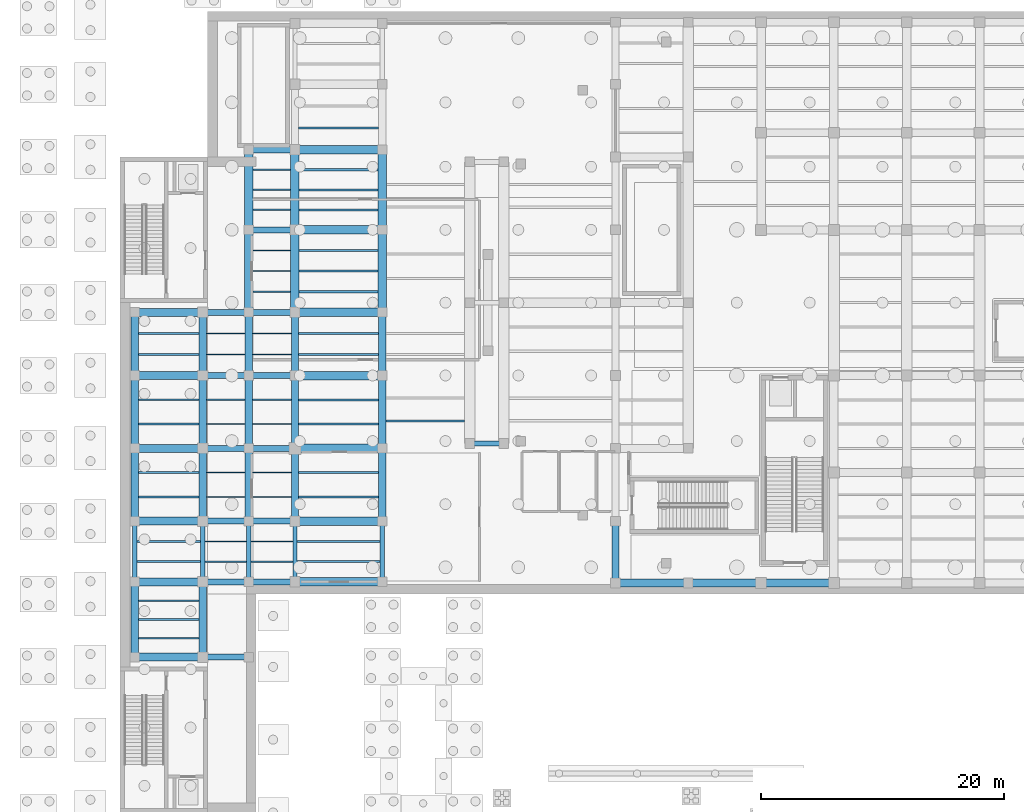
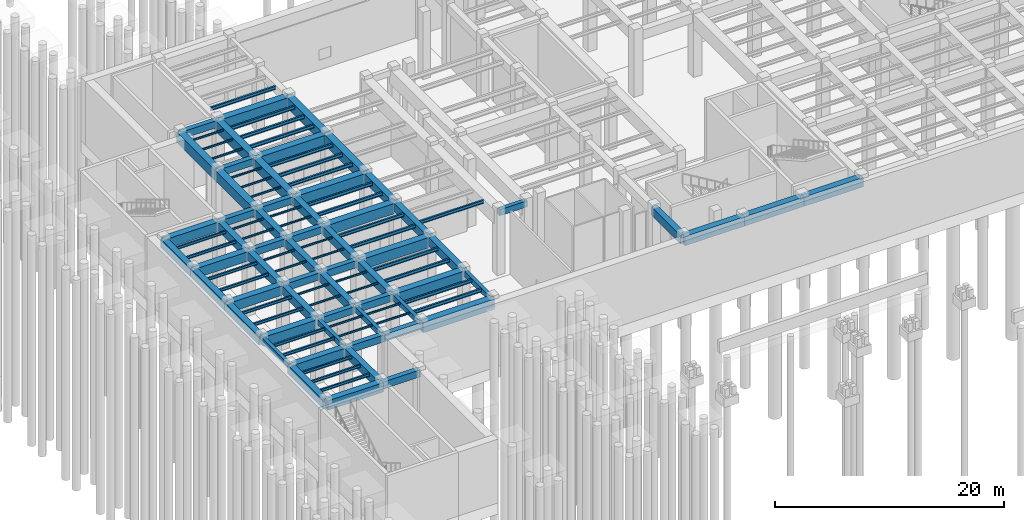
# One storey, part 9 of 30: 108 beams.
"""IFC4 building model written with IfcOpenShell, lengths in metres."""

from ifc_helpers import new_model, si_unit, direction, frame, origin, origin_2d, place, context, subcontext, project, spatial, rectangle, i_section, extrude, material, material_profile, profile_set, type_object, element, save


model = new_model("IFC4")

# Units and contexts
model_context = context("Model", 3, precision=1e-05, world=origin(), true_north=direction((0.0, 1.0)))
body_context = subcontext(model_context, "Body", "Model", "MODEL_VIEW")
ifc_project = project(units=[si_unit("LENGTHUNIT", "METRE"), si_unit("AREAUNIT", "SQUARE_METRE"), si_unit("VOLUMEUNIT", "CUBIC_METRE"), si_unit("PLANEANGLEUNIT", "RADIAN"), si_unit("MASSUNIT", "GRAM", prefix="KILO")], contexts=[model_context])

# Site, building, storey
site_placement = place(None, origin())
site = spatial("IfcSite", under=ifc_project, at=site_placement, CompositionType="ELEMENT")
building_placement = place(site_placement, origin())
building = spatial("IfcBuilding", under=site, at=building_placement, Name="Kolvaren Corner Interchange", CompositionType="ELEMENT")
storey_placement = place(building_placement, frame((0.0, 0.0, -7.199951171875)))
storey = spatial("IfcBuildingStorey", under=building, at=storey_placement, Name="B1", CompositionType="ELEMENT", Elevation=-7.199951171875)

# Beams
ifc_material_1 = material(Name="Concrete C40/50", Category="concrete")
ifc_material_profile_1 = material_profile(ifc_material_1, rectangle(XDim=0.35009765625, YDim=0.550048828125, at=origin_2d()), Name="RC 350x550")
ifc_profile_set_1 = profile_set([ifc_material_profile_1], Name="Concrete C40/50")
beam_type_1 = type_object("IfcBeamType", Name="BM-RC350x550", PredefinedType="BEAM", material=ifc_profile_set_1)
for number, where, z_axis, x_axis, name in (
    (1, (8.39990234375, 25.0, 6.52490234375), (0.0, 1.0, 0.0), (-1.0, 0.0, 0.0), "Storey B1 Grid Y Primary Girder 0104"),
    (2, (14.0, 25.0, 6.52490234375), (0.0, 1.0, 0.0), (-1.0, 0.0, 0.0), "Storey B1 Grid Y Primary Girder 0109"),
    (3, (17.800048828125, 25.0, 6.52490234375), (0.0, 1.0, 0.0), (-1.0, 0.0, 0.0), "Storey B1 Grid Y Primary Girder 0113"),
    (4, (21.60009765625, 25.0, 6.52490234375), (0.0, 1.0, 0.0), (-1.0, 0.0, 0.0), "Storey B1 Grid Y Primary Girder 0119"),
    (5, (28.800048828125, 25.0, 6.52490234375), (0.0, 1.0, 0.0), (-1.0, 0.0, 0.0), "Storey B1 Grid Y Primary Girder 0127"),
):
    element("IfcBeam", number, at=place(storey_placement, frame(where, z_axis=z_axis, x_axis=x_axis)), inside=storey, type_object=beam_type_1, Name=name, PredefinedType="BEAM", context=body_context, shape_type="SweptSolid", body=[
        extrude(rectangle(XDim=0.35009765625, YDim=0.550048828125, at=origin_2d()), origin(), (0.0, 0.0, 1.0), 5.0),
    ])
ifc_material_2 = material(Name="Concrete C40/50", Category="concrete")
ifc_material_profile_2 = material_profile(ifc_material_2, rectangle(XDim=0.39990234375, YDim=0.64990234375, at=origin_2d()), Name="RC 400x650")
ifc_profile_set_2 = profile_set([ifc_material_profile_2], Name="Concrete C40/50")
beam_type_2 = type_object("IfcBeamType", Name="BM-RC400x650", PredefinedType="BEAM", material=ifc_profile_set_2)
beam_1_placement = place(storey_placement, frame((36.0, 36.39990234375, 6.474853515625), z_axis=(1.0, 0.0, 0.0), x_axis=(0.0, 1.0, 0.0)))
element("IfcBeam", 6, at=beam_1_placement, inside=storey, type_object=beam_type_2, Name="Storey B1 Grid X Primary Girder 0040", PredefinedType="BEAM", context=body_context, shape_type="SweptSolid", body=[
    extrude(rectangle(XDim=0.39990234375, YDim=0.64990234375, at=origin_2d()), origin(), (0.0, 0.0, 1.0), 2.800048828125),
])
ifc_material_3 = material(Name="Concrete C40/50", Category="concrete")
ifc_material_profile_3 = material_profile(ifc_material_3, rectangle(XDim=0.5, YDim=0.75, at=origin_2d()), Name="RC 500x750")
ifc_profile_set_3 = profile_set([ifc_material_profile_3], Name="Concrete C40/50")
beam_type_3 = type_object("IfcBeamType", Name="BM-RC500x750", PredefinedType="BEAM", material=ifc_profile_set_3)
for number, where, z_axis, x_axis, name in (
    (7, (14.0, 18.800048828125, 6.425048828125), (1.0, 0.0, 0.0), (0.0, 1.0, 0.0), "Storey B1 Grid X Primary Girder 0002"),
    (8, (14.0, 25.0, 6.425048828125), (1.0, 0.0, 0.0), (0.0, 1.0, 0.0), "Storey B1 Grid X Primary Girder 0018"),
    (9, (17.800048828125, 25.0, 6.425048828125), (1.0, 0.0, 0.0), (0.0, 1.0, 0.0), "Storey B1 Grid X Primary Girder 0019"),
    (10, (14.0, 30.0, 6.425048828125), (1.0, 0.0, 0.0), (0.0, 1.0, 0.0), "Storey B1 Grid X Primary Girder 0022"),
    (11, (17.800048828125, 30.0, 6.425048828125), (1.0, 0.0, 0.0), (0.0, 1.0, 0.0), "Storey B1 Grid X Primary Girder 0023"),
    (12, (14.0, 36.0, 6.425048828125), (1.0, 0.0, 0.0), (0.0, 1.0, 0.0), "Storey B1 Grid X Primary Girder 0035"),
    (13, (17.800048828125, 36.0, 6.425048828125), (1.0, 0.0, 0.0), (0.0, 1.0, 0.0), "Storey B1 Grid X Primary Girder 0036"),
    (14, (14.0, 42.0, 6.425048828125), (1.0, 0.0, 0.0), (0.0, 1.0, 0.0), "Storey B1 Grid X Primary Girder 0042"),
    (15, (17.800048828125, 42.0, 6.425048828125), (1.0, 0.0, 0.0), (0.0, 1.0, 0.0), "Storey B1 Grid X Primary Girder 0043"),
    (16, (14.0, 47.199951171875, 6.425048828125), (1.0, 0.0, 0.0), (0.0, 1.0, 0.0), "Storey B1 Grid X Primary Girder 0055"),
    (17, (17.800048828125, 47.199951171875, 6.425048828125), (1.0, 0.0, 0.0), (0.0, 1.0, 0.0), "Storey B1 Grid X Primary Girder 0056"),
    (18, (17.800048828125, 54.0, 6.425048828125), (1.0, 0.0, 0.0), (0.0, 1.0, 0.0), "Storey B1 Grid X Primary Girder 0062"),
    (19, (17.800048828125, 60.60009765625, 6.425048828125), (1.0, 0.0, 0.0), (0.0, 1.0, 0.0), "Storey B1 Grid X Primary Girder 0076"),
):
    element("IfcBeam", number, at=place(storey_placement, frame(where, z_axis=z_axis, x_axis=x_axis)), inside=storey, type_object=beam_type_3, Name=name, PredefinedType="BEAM", context=body_context, shape_type="SweptSolid", body=[
        extrude(rectangle(XDim=0.5, YDim=0.75, at=origin_2d()), origin(), (0.0, 0.0, 1.0), 3.800048828125),
    ])
ifc_material_4 = material(Name="Concrete C40/50", Category="concrete")
ifc_material_profile_4 = material_profile(ifc_material_4, rectangle(XDim=0.60009765625, YDim=0.89990234375, at=origin_2d()), Name="RC 600x900")
ifc_profile_set_4 = profile_set([ifc_material_profile_4], Name="Concrete C40/50")
beam_type_4 = type_object("IfcBeamType", Name="BM-RC600x900", PredefinedType="BEAM", material=ifc_profile_set_4)
beam_2_placement = place(storey_placement, frame((8.39990234375, 18.800048828125, 6.349853515625), z_axis=(0.0, 1.0, 0.0), x_axis=(-1.0, 0.0, 0.0)))
element("IfcBeam", 20, at=beam_2_placement, inside=storey, type_object=beam_type_4, Name="Storey B1 Grid Y Primary Girder 0103", PredefinedType="BEAM", context=body_context, shape_type="SweptSolid", body=[
    extrude(rectangle(XDim=0.60009765625, YDim=0.89990234375, at=origin_2d()), origin(), (0.0, 0.0, 1.0), 6.199951171875),
])
for number, where, z_axis, x_axis, name in (
    (21, (8.39990234375, 30.0, 6.349853515625), (0.0, 1.0, 0.0), (-1.0, 0.0, 0.0), "Storey B1 Grid Y Primary Girder 0105"),
    (22, (8.39990234375, 36.0, 6.349853515625), (0.0, 1.0, 0.0), (-1.0, 0.0, 0.0), "Storey B1 Grid Y Primary Girder 0106"),
):
    element("IfcBeam", number, at=place(storey_placement, frame(where, z_axis=z_axis, x_axis=x_axis)), inside=storey, type_object=beam_type_4, Name=name, PredefinedType="BEAM", context=body_context, shape_type="SweptSolid", body=[
        extrude(rectangle(XDim=0.60009765625, YDim=0.89990234375, at=origin_2d()), origin(), (0.0, 0.0, 1.0), 6.0),
    ])
beam_3_placement = place(storey_placement, frame((8.39990234375, 42.0, 6.349853515625), z_axis=(0.0, 1.0, 0.0), x_axis=(-1.0, 0.0, 0.0)))
element("IfcBeam", 23, at=beam_3_placement, inside=storey, type_object=beam_type_4, Name="Storey B1 Grid Y Primary Girder 0107", PredefinedType="BEAM", context=body_context, shape_type="SweptSolid", body=[
    extrude(rectangle(XDim=0.60009765625, YDim=0.89990234375, at=origin_2d()), origin(), (0.0, 0.0, 1.0), 5.199951171875),
])
beam_4_placement = place(storey_placement, frame((14.0, 18.800048828125, 6.349853515625), z_axis=(0.0, 1.0, 0.0), x_axis=(-1.0, 0.0, 0.0)))
element("IfcBeam", 24, at=beam_4_placement, inside=storey, type_object=beam_type_4, Name="Storey B1 Grid Y Primary Girder 0108", PredefinedType="BEAM", context=body_context, shape_type="SweptSolid", body=[
    extrude(rectangle(XDim=0.60009765625, YDim=0.89990234375, at=origin_2d()), origin(), (0.0, 0.0, 1.0), 6.199951171875),
])
for number, where, z_axis, x_axis, name in (
    (25, (14.0, 30.0, 6.349853515625), (0.0, 1.0, 0.0), (-1.0, 0.0, 0.0), "Storey B1 Grid Y Primary Girder 0110"),
    (26, (14.0, 36.0, 6.349853515625), (0.0, 1.0, 0.0), (-1.0, 0.0, 0.0), "Storey B1 Grid Y Primary Girder 0111"),
):
    element("IfcBeam", number, at=place(storey_placement, frame(where, z_axis=z_axis, x_axis=x_axis)), inside=storey, type_object=beam_type_4, Name=name, PredefinedType="BEAM", context=body_context, shape_type="SweptSolid", body=[
        extrude(rectangle(XDim=0.60009765625, YDim=0.89990234375, at=origin_2d()), origin(), (0.0, 0.0, 1.0), 6.0),
    ])
beam_5_placement = place(storey_placement, frame((14.0, 42.0, 6.349853515625), z_axis=(0.0, 1.0, 0.0), x_axis=(-1.0, 0.0, 0.0)))
element("IfcBeam", 27, at=beam_5_placement, inside=storey, type_object=beam_type_4, Name="Storey B1 Grid Y Primary Girder 0112", PredefinedType="BEAM", context=body_context, shape_type="SweptSolid", body=[
    extrude(rectangle(XDim=0.60009765625, YDim=0.89990234375, at=origin_2d()), origin(), (0.0, 0.0, 1.0), 5.199951171875),
])
for number, where, z_axis, x_axis, name in (
    (28, (17.800048828125, 30.0, 6.349853515625), (0.0, 1.0, 0.0), (-1.0, 0.0, 0.0), "Storey B1 Grid Y Primary Girder 0114"),
    (29, (17.800048828125, 36.0, 6.349853515625), (0.0, 1.0, 0.0), (-1.0, 0.0, 0.0), "Storey B1 Grid Y Primary Girder 0115"),
):
    element("IfcBeam", number, at=place(storey_placement, frame(where, z_axis=z_axis, x_axis=x_axis)), inside=storey, type_object=beam_type_4, Name=name, PredefinedType="BEAM", context=body_context, shape_type="SweptSolid", body=[
        extrude(rectangle(XDim=0.60009765625, YDim=0.89990234375, at=origin_2d()), origin(), (0.0, 0.0, 1.0), 6.0),
    ])
beam_6_placement = place(storey_placement, frame((17.800048828125, 42.0, 6.349853515625), z_axis=(0.0, 1.0, 0.0), x_axis=(-1.0, 0.0, 0.0)))
element("IfcBeam", 30, at=beam_6_placement, inside=storey, type_object=beam_type_4, Name="Storey B1 Grid Y Primary Girder 0116", PredefinedType="BEAM", context=body_context, shape_type="SweptSolid", body=[
    extrude(rectangle(XDim=0.60009765625, YDim=0.89990234375, at=origin_2d()), origin(), (0.0, 0.0, 1.0), 5.199951171875),
])
for number, where, z_axis, x_axis, name in (
    (31, (21.60009765625, 30.0, 6.349853515625), (0.0, 1.0, 0.0), (-1.0, 0.0, 0.0), "Storey B1 Grid Y Primary Girder 0120"),
    (32, (21.60009765625, 36.0, 6.349853515625), (0.0, 1.0, 0.0), (-1.0, 0.0, 0.0), "Storey B1 Grid Y Primary Girder 0121"),
):
    element("IfcBeam", number, at=place(storey_placement, frame(where, z_axis=z_axis, x_axis=x_axis)), inside=storey, type_object=beam_type_4, Name=name, PredefinedType="BEAM", context=body_context, shape_type="SweptSolid", body=[
        extrude(rectangle(XDim=0.60009765625, YDim=0.89990234375, at=origin_2d()), origin(), (0.0, 0.0, 1.0), 6.0),
    ])
beam_7_placement = place(storey_placement, frame((21.60009765625, 42.0, 6.349853515625), z_axis=(0.0, 1.0, 0.0), x_axis=(-1.0, 0.0, 0.0)))
element("IfcBeam", 33, at=beam_7_placement, inside=storey, type_object=beam_type_4, Name="Storey B1 Grid Y Primary Girder 0122", PredefinedType="BEAM", context=body_context, shape_type="SweptSolid", body=[
    extrude(rectangle(XDim=0.60009765625, YDim=0.89990234375, at=origin_2d()), origin(), (0.0, 0.0, 1.0), 5.199951171875),
])
for number, where, z_axis, x_axis, name in (
    (34, (28.800048828125, 30.0, 6.349853515625), (0.0, 1.0, 0.0), (-1.0, 0.0, 0.0), "Storey B1 Grid Y Primary Girder 0128"),
    (35, (28.800048828125, 36.0, 6.349853515625), (0.0, 1.0, 0.0), (-1.0, 0.0, 0.0), "Storey B1 Grid Y Primary Girder 0129"),
):
    element("IfcBeam", number, at=place(storey_placement, frame(where, z_axis=z_axis, x_axis=x_axis)), inside=storey, type_object=beam_type_4, Name=name, PredefinedType="BEAM", context=body_context, shape_type="SweptSolid", body=[
        extrude(rectangle(XDim=0.60009765625, YDim=0.89990234375, at=origin_2d()), origin(), (0.0, 0.0, 1.0), 6.0),
    ])
beam_8_placement = place(storey_placement, frame((28.800048828125, 42.0, 6.349853515625), z_axis=(0.0, 1.0, 0.0), x_axis=(-1.0, 0.0, 0.0)))
element("IfcBeam", 36, at=beam_8_placement, inside=storey, type_object=beam_type_4, Name="Storey B1 Grid Y Primary Girder 0130", PredefinedType="BEAM", context=body_context, shape_type="SweptSolid", body=[
    extrude(rectangle(XDim=0.60009765625, YDim=0.89990234375, at=origin_2d()), origin(), (0.0, 0.0, 1.0), 5.199951171875),
])
beam_9_placement = place(storey_placement, frame((48.0, 24.89990234375, 6.349853515625), z_axis=(0.0, 1.0, 0.0), x_axis=(-1.0, 0.0, 0.0)))
element("IfcBeam", 37, at=beam_9_placement, inside=storey, type_object=beam_type_4, Name="Storey B1 Grid Y Primary Girder 0140", PredefinedType="BEAM", context=body_context, shape_type="SweptSolid", body=[
    extrude(rectangle(XDim=0.60009765625, YDim=0.89990234375, at=origin_2d()), origin(), (0.0, 0.0, 1.0), 5.10009765625),
])
ifc_material_5 = material(Name="Concrete C40/50", Category="concrete")
ifc_material_profile_5 = material_profile(ifc_material_5, rectangle(XDim=0.64990234375, YDim=1.0, at=origin_2d()), Name="RC 650x1000")
ifc_profile_set_5 = profile_set([ifc_material_profile_5], Name="Concrete C40/50")
beam_type_5 = type_object("IfcBeamType", Name="BM-RC650x1000", PredefinedType="BEAM", material=ifc_profile_set_5)
beam_10_placement = place(storey_placement, frame((8.39990234375, 18.800048828125, 6.300048828125), z_axis=(1.0, 0.0, 0.0), x_axis=(0.0, 1.0, 0.0)))
element("IfcBeam", 38, at=beam_10_placement, inside=storey, type_object=beam_type_5, Name="Storey B1 Grid X Primary Girder 0001", PredefinedType="BEAM", context=body_context, shape_type="SweptSolid", body=[
    extrude(rectangle(XDim=0.64990234375, YDim=1.0, at=origin_2d()), origin(), (0.0, 0.0, 1.0), 5.60009765625),
])
for number, where, z_axis, x_axis, name in (
    (39, (48.0, 24.89990234375, 6.300048828125), (1.0, 0.0, 0.0), (0.0, 1.0, 0.0), "Storey B1 Grid X Primary Girder 0003"),
    (40, (54.0, 24.89990234375, 6.300048828125), (1.0, 0.0, 0.0), (0.0, 1.0, 0.0), "Storey B1 Grid X Primary Girder 0004"),
    (41, (60.0, 24.89990234375, 6.300048828125), (1.0, 0.0, 0.0), (0.0, 1.0, 0.0), "Storey B1 Grid X Primary Girder 0005"),
):
    element("IfcBeam", number, at=place(storey_placement, frame(where, z_axis=z_axis, x_axis=x_axis)), inside=storey, type_object=beam_type_5, Name=name, PredefinedType="BEAM", context=body_context, shape_type="SweptSolid", body=[
        extrude(rectangle(XDim=0.64990234375, YDim=1.0, at=origin_2d()), origin(), (0.0, 0.0, 1.0), 6.0),
    ])
for number, where, z_axis, x_axis, name in (
    (42, (8.39990234375, 25.0, 6.300048828125), (1.0, 0.0, 0.0), (0.0, 1.0, 0.0), "Storey B1 Grid X Primary Girder 0017"),
    (43, (8.39990234375, 30.0, 6.300048828125), (1.0, 0.0, 0.0), (0.0, 1.0, 0.0), "Storey B1 Grid X Primary Girder 0021"),
    (44, (8.39990234375, 36.0, 6.300048828125), (1.0, 0.0, 0.0), (0.0, 1.0, 0.0), "Storey B1 Grid X Primary Girder 0034"),
    (45, (8.39990234375, 42.0, 6.300048828125), (1.0, 0.0, 0.0), (0.0, 1.0, 0.0), "Storey B1 Grid X Primary Girder 0041"),
    (46, (8.39990234375, 47.199951171875, 6.300048828125), (1.0, 0.0, 0.0), (0.0, 1.0, 0.0), "Storey B1 Grid X Primary Girder 0054"),
):
    element("IfcBeam", number, at=place(storey_placement, frame(where, z_axis=z_axis, x_axis=x_axis)), inside=storey, type_object=beam_type_5, Name=name, PredefinedType="BEAM", context=body_context, shape_type="SweptSolid", body=[
        extrude(rectangle(XDim=0.64990234375, YDim=1.0, at=origin_2d()), origin(), (0.0, 0.0, 1.0), 5.60009765625),
    ])
ifc_material_6 = material(Name="Concrete C40/50", Category="concrete")
ifc_material_profile_6 = material_profile(ifc_material_6, rectangle(XDim=0.699951171875, YDim=1.10009765625, at=origin_2d()), Name="RC 700x1100")
ifc_profile_set_6 = profile_set([ifc_material_profile_6], Name="Concrete C40/50")
beam_type_6 = type_object("IfcBeamType", Name="BM-RC700x1100", PredefinedType="BEAM", material=ifc_profile_set_6)
for number, where, z_axis, x_axis, name in (
    (47, (21.60009765625, 25.0, 6.25), (1.0, 0.0, 0.0), (0.0, 1.0, 0.0), "Storey B1 Grid X Primary Girder 0020"),
    (48, (21.60009765625, 30.0, 6.25), (1.0, 0.0, 0.0), (0.0, 1.0, 0.0), "Storey B1 Grid X Primary Girder 0024"),
    (49, (21.60009765625, 36.0, 6.25), (1.0, 0.0, 0.0), (0.0, 1.0, 0.0), "Storey B1 Grid X Primary Girder 0037"),
    (50, (21.60009765625, 42.0, 6.25), (1.0, 0.0, 0.0), (0.0, 1.0, 0.0), "Storey B1 Grid X Primary Girder 0044"),
    (51, (21.60009765625, 47.199951171875, 6.25), (1.0, 0.0, 0.0), (0.0, 1.0, 0.0), "Storey B1 Grid X Primary Girder 0057"),
    (52, (21.60009765625, 54.0, 6.25), (1.0, 0.0, 0.0), (0.0, 1.0, 0.0), "Storey B1 Grid X Primary Girder 0063"),
    (53, (21.60009765625, 60.60009765625, 6.25), (1.0, 0.0, 0.0), (0.0, 1.0, 0.0), "Storey B1 Grid X Primary Girder 0077"),
):
    element("IfcBeam", number, at=place(storey_placement, frame(where, z_axis=z_axis, x_axis=x_axis)), inside=storey, type_object=beam_type_6, Name=name, PredefinedType="BEAM", context=body_context, shape_type="SweptSolid", body=[
        extrude(rectangle(XDim=0.699951171875, YDim=1.10009765625, at=origin_2d()), origin(), (0.0, 0.0, 1.0), 7.199951171875),
    ])
beam_11_placement = place(storey_placement, frame((17.800048828125, 47.199951171875, 6.25), z_axis=(0.0, 1.0, 0.0), x_axis=(-1.0, 0.0, 0.0)))
element("IfcBeam", 54, at=beam_11_placement, inside=storey, type_object=beam_type_6, Name="Storey B1 Grid Y Primary Girder 0117", PredefinedType="BEAM", context=body_context, shape_type="SweptSolid", body=[
    extrude(rectangle(XDim=0.699951171875, YDim=1.10009765625, at=origin_2d()), origin(), (0.0, 0.0, 1.0), 6.800048828125),
])
beam_12_placement = place(storey_placement, frame((17.800048828125, 54.0, 6.25), z_axis=(0.0, 1.0, 0.0), x_axis=(-1.0, 0.0, 0.0)))
element("IfcBeam", 55, at=beam_12_placement, inside=storey, type_object=beam_type_6, Name="Storey B1 Grid Y Primary Girder 0118", PredefinedType="BEAM", context=body_context, shape_type="SweptSolid", body=[
    extrude(rectangle(XDim=0.699951171875, YDim=1.10009765625, at=origin_2d()), origin(), (0.0, 0.0, 1.0), 6.60009765625),
])
beam_13_placement = place(storey_placement, frame((21.60009765625, 47.199951171875, 6.25), z_axis=(0.0, 1.0, 0.0), x_axis=(-1.0, 0.0, 0.0)))
element("IfcBeam", 56, at=beam_13_placement, inside=storey, type_object=beam_type_6, Name="Storey B1 Grid Y Primary Girder 0123", PredefinedType="BEAM", context=body_context, shape_type="SweptSolid", body=[
    extrude(rectangle(XDim=0.699951171875, YDim=1.10009765625, at=origin_2d()), origin(), (0.0, 0.0, 1.0), 6.800048828125),
])
beam_14_placement = place(storey_placement, frame((21.60009765625, 54.0, 6.25), z_axis=(0.0, 1.0, 0.0), x_axis=(-1.0, 0.0, 0.0)))
element("IfcBeam", 57, at=beam_14_placement, inside=storey, type_object=beam_type_6, Name="Storey B1 Grid Y Primary Girder 0124", PredefinedType="BEAM", context=body_context, shape_type="SweptSolid", body=[
    extrude(rectangle(XDim=0.699951171875, YDim=1.10009765625, at=origin_2d()), origin(), (0.0, 0.0, 1.0), 6.60009765625),
])
beam_15_placement = place(storey_placement, frame((28.800048828125, 47.199951171875, 6.25), z_axis=(0.0, 1.0, 0.0), x_axis=(-1.0, 0.0, 0.0)))
element("IfcBeam", 58, at=beam_15_placement, inside=storey, type_object=beam_type_6, Name="Storey B1 Grid Y Primary Girder 0131", PredefinedType="BEAM", context=body_context, shape_type="SweptSolid", body=[
    extrude(rectangle(XDim=0.699951171875, YDim=1.10009765625, at=origin_2d()), origin(), (0.0, 0.0, 1.0), 6.800048828125),
])
beam_16_placement = place(storey_placement, frame((28.800048828125, 54.0, 6.25), z_axis=(0.0, 1.0, 0.0), x_axis=(-1.0, 0.0, 0.0)))
element("IfcBeam", 59, at=beam_16_placement, inside=storey, type_object=beam_type_6, Name="Storey B1 Grid Y Primary Girder 0132", PredefinedType="BEAM", context=body_context, shape_type="SweptSolid", body=[
    extrude(rectangle(XDim=0.699951171875, YDim=1.10009765625, at=origin_2d()), origin(), (0.0, 0.0, 1.0), 6.60009765625),
])
ifc_material_7 = material(Name="Steel S355", Category="steel")
ifc_material_profile_7 = material_profile(ifc_material_7, i_section(OverallWidth=0.10009765625, OverallDepth=0.199951171875, WebThickness=0.005615234375, FlangeThickness=0.008544921875, FilletRadius=0.011962890625, at=origin_2d()), Name="IPE 200")
ifc_profile_set_7 = profile_set([ifc_material_profile_7], Name="Steel S355")
beam_type_7 = type_object("IfcBeamType", Name="JS-IPE200", PredefinedType="JOIST", material=ifc_profile_set_7)
for number, where, z_axis, x_axis, name in (
    (60, (14.175048828125, 26.666748046875, 6.699951171875), (1.0, 0.0, 0.0), (0.0, 1.0, 0.0), "Storey B1 Composite Floor Joist 0012"),
    (61, (14.175048828125, 28.333251953125, 6.699951171875), (1.0, 0.0, 0.0), (0.0, 1.0, 0.0), "Storey B1 Composite Floor Joist 0013"),
):
    element("IfcBeam", number, at=place(storey_placement, frame(where, z_axis=z_axis, x_axis=x_axis)), inside=storey, type_object=beam_type_7, Name=name, PredefinedType="JOIST", context=body_context, shape_type="SweptSolid", body=[
        extrude(i_section(OverallWidth=0.10009765625, OverallDepth=0.199951171875, WebThickness=0.005615234375, FlangeThickness=0.008544921875, FilletRadius=0.011962890625, at=origin_2d()), origin(), (0.0, 0.0, 1.0), 3.449951171875),
    ])
for number, where, z_axis, x_axis, name in (
    (62, (14.300048828125, 32.0, 6.699951171875), (1.0, 0.0, 0.0), (0.0, 1.0, 0.0), "Storey B1 Composite Floor Joist 0014"),
    (63, (14.300048828125, 34.0, 6.699951171875), (1.0, 0.0, 0.0), (0.0, 1.0, 0.0), "Storey B1 Composite Floor Joist 0015"),
    (64, (14.300048828125, 38.0, 6.699951171875), (1.0, 0.0, 0.0), (0.0, 1.0, 0.0), "Storey B1 Composite Floor Joist 0016"),
    (65, (14.300048828125, 40.0, 6.699951171875), (1.0, 0.0, 0.0), (0.0, 1.0, 0.0), "Storey B1 Composite Floor Joist 0017"),
    (66, (14.300048828125, 43.7333984375, 6.699951171875), (1.0, 0.0, 0.0), (0.0, 1.0, 0.0), "Storey B1 Composite Floor Joist 0018"),
    (67, (14.300048828125, 45.466796875, 6.699951171875), (1.0, 0.0, 0.0), (0.0, 1.0, 0.0), "Storey B1 Composite Floor Joist 0019"),
):
    element("IfcBeam", number, at=place(storey_placement, frame(where, z_axis=z_axis, x_axis=x_axis)), inside=storey, type_object=beam_type_7, Name=name, PredefinedType="JOIST", context=body_context, shape_type="SweptSolid", body=[
        extrude(i_section(OverallWidth=0.10009765625, OverallDepth=0.199951171875, WebThickness=0.005615234375, FlangeThickness=0.008544921875, FilletRadius=0.011962890625, at=origin_2d()), origin(), (0.0, 0.0, 1.0), 3.199951171875),
    ])
for number, where, z_axis, x_axis, name in (
    (68, (17.97509765625, 26.666748046875, 6.699951171875), (1.0, 0.0, 0.0), (0.0, 1.0, 0.0), "Storey B1 Composite Floor Joist 0020"),
    (69, (17.97509765625, 28.333251953125, 6.699951171875), (1.0, 0.0, 0.0), (0.0, 1.0, 0.0), "Storey B1 Composite Floor Joist 0021"),
):
    element("IfcBeam", number, at=place(storey_placement, frame(where, z_axis=z_axis, x_axis=x_axis)), inside=storey, type_object=beam_type_7, Name=name, PredefinedType="JOIST", context=body_context, shape_type="SweptSolid", body=[
        extrude(i_section(OverallWidth=0.10009765625, OverallDepth=0.199951171875, WebThickness=0.005615234375, FlangeThickness=0.008544921875, FilletRadius=0.011962890625, at=origin_2d()), origin(), (0.0, 0.0, 1.0), 3.449951171875),
    ])
for number, where, z_axis, x_axis, name in (
    (70, (18.10009765625, 32.0, 6.699951171875), (1.0, 0.0, 0.0), (0.0, 1.0, 0.0), "Storey B1 Composite Floor Joist 0022"),
    (71, (18.10009765625, 34.0, 6.699951171875), (1.0, 0.0, 0.0), (0.0, 1.0, 0.0), "Storey B1 Composite Floor Joist 0023"),
    (72, (18.10009765625, 38.0, 6.699951171875), (1.0, 0.0, 0.0), (0.0, 1.0, 0.0), "Storey B1 Composite Floor Joist 0024"),
    (73, (18.10009765625, 40.0, 6.699951171875), (1.0, 0.0, 0.0), (0.0, 1.0, 0.0), "Storey B1 Composite Floor Joist 0025"),
    (74, (18.10009765625, 43.7333984375, 6.699951171875), (1.0, 0.0, 0.0), (0.0, 1.0, 0.0), "Storey B1 Composite Floor Joist 0026"),
    (75, (18.10009765625, 45.466796875, 6.699951171875), (1.0, 0.0, 0.0), (0.0, 1.0, 0.0), "Storey B1 Composite Floor Joist 0027"),
):
    element("IfcBeam", number, at=place(storey_placement, frame(where, z_axis=z_axis, x_axis=x_axis)), inside=storey, type_object=beam_type_7, Name=name, PredefinedType="JOIST", context=body_context, shape_type="SweptSolid", body=[
        extrude(i_section(OverallWidth=0.10009765625, OverallDepth=0.199951171875, WebThickness=0.005615234375, FlangeThickness=0.008544921875, FilletRadius=0.011962890625, at=origin_2d()), origin(), (0.0, 0.0, 1.0), 3.199951171875),
    ])
for number, where, z_axis, x_axis, name in (
    (76, (18.14990234375, 48.89990234375, 6.699951171875), (1.0, 0.0, 0.0), (0.0, 1.0, 0.0), "Storey B1 Composite Floor Joist 0028"),
    (77, (18.14990234375, 50.60009765625, 6.699951171875), (1.0, 0.0, 0.0), (0.0, 1.0, 0.0), "Storey B1 Composite Floor Joist 0029"),
    (78, (18.14990234375, 52.300048828125, 6.699951171875), (1.0, 0.0, 0.0), (0.0, 1.0, 0.0), "Storey B1 Composite Floor Joist 0030"),
    (79, (18.14990234375, 55.64990234375, 6.699951171875), (1.0, 0.0, 0.0), (0.0, 1.0, 0.0), "Storey B1 Composite Floor Joist 0031"),
    (80, (18.14990234375, 57.300048828125, 6.699951171875), (1.0, 0.0, 0.0), (0.0, 1.0, 0.0), "Storey B1 Composite Floor Joist 0032"),
    (81, (18.14990234375, 58.949951171875, 6.699951171875), (1.0, 0.0, 0.0), (0.0, 1.0, 0.0), "Storey B1 Composite Floor Joist 0033"),
):
    element("IfcBeam", number, at=place(storey_placement, frame(where, z_axis=z_axis, x_axis=x_axis)), inside=storey, type_object=beam_type_7, Name=name, PredefinedType="JOIST", context=body_context, shape_type="SweptSolid", body=[
        extrude(i_section(OverallWidth=0.10009765625, OverallDepth=0.199951171875, WebThickness=0.005615234375, FlangeThickness=0.008544921875, FilletRadius=0.011962890625, at=origin_2d()), origin(), (0.0, 0.0, 1.0), 3.10009765625),
    ])
ifc_material_8 = material(Name="Steel S355", Category="steel")
ifc_material_profile_8 = material_profile(ifc_material_8, i_section(OverallWidth=0.14990234375, OverallDepth=0.300048828125, WebThickness=0.007080078125, FlangeThickness=0.0107421875, FilletRadius=0.014892578125, at=origin_2d()), Name="IPE 300")
ifc_profile_set_8 = profile_set([ifc_material_profile_8], Name="Steel S355")
beam_type_8 = type_object("IfcBeamType", Name="JS-IPE300", PredefinedType="JOIST", material=ifc_profile_set_8)
for number, where, z_axis, x_axis, name in (
    (82, (8.699951171875, 20.35009765625, 6.64990234375), (1.0, 0.0, 0.0), (0.0, 1.0, 0.0), "Storey B1 Composite Floor Joist 0001"),
    (83, (8.699951171875, 21.89990234375, 6.64990234375), (1.0, 0.0, 0.0), (0.0, 1.0, 0.0), "Storey B1 Composite Floor Joist 0002"),
    (84, (8.699951171875, 23.449951171875, 6.64990234375), (1.0, 0.0, 0.0), (0.0, 1.0, 0.0), "Storey B1 Composite Floor Joist 0003"),
):
    element("IfcBeam", number, at=place(storey_placement, frame(where, z_axis=z_axis, x_axis=x_axis)), inside=storey, type_object=beam_type_8, Name=name, PredefinedType="JOIST", context=body_context, shape_type="SweptSolid", body=[
        extrude(i_section(OverallWidth=0.14990234375, OverallDepth=0.300048828125, WebThickness=0.007080078125, FlangeThickness=0.0107421875, FilletRadius=0.014892578125, at=origin_2d()), origin(), (0.0, 0.0, 1.0), 5.0),
    ])
for number, where, z_axis, x_axis, name in (
    (85, (8.574951171875, 26.666748046875, 6.64990234375), (1.0, 0.0, 0.0), (0.0, 1.0, 0.0), "Storey B1 Composite Floor Joist 0004"),
    (86, (8.574951171875, 28.333251953125, 6.64990234375), (1.0, 0.0, 0.0), (0.0, 1.0, 0.0), "Storey B1 Composite Floor Joist 0005"),
):
    element("IfcBeam", number, at=place(storey_placement, frame(where, z_axis=z_axis, x_axis=x_axis)), inside=storey, type_object=beam_type_8, Name=name, PredefinedType="JOIST", context=body_context, shape_type="SweptSolid", body=[
        extrude(i_section(OverallWidth=0.14990234375, OverallDepth=0.300048828125, WebThickness=0.007080078125, FlangeThickness=0.0107421875, FilletRadius=0.014892578125, at=origin_2d()), origin(), (0.0, 0.0, 1.0), 5.25),
    ])
for number, where, z_axis, x_axis, name in (
    (87, (8.699951171875, 32.0, 6.64990234375), (1.0, 0.0, 0.0), (0.0, 1.0, 0.0), "Storey B1 Composite Floor Joist 0006"),
    (88, (8.699951171875, 34.0, 6.64990234375), (1.0, 0.0, 0.0), (0.0, 1.0, 0.0), "Storey B1 Composite Floor Joist 0007"),
    (89, (8.699951171875, 38.0, 6.64990234375), (1.0, 0.0, 0.0), (0.0, 1.0, 0.0), "Storey B1 Composite Floor Joist 0008"),
    (90, (8.699951171875, 40.0, 6.64990234375), (1.0, 0.0, 0.0), (0.0, 1.0, 0.0), "Storey B1 Composite Floor Joist 0009"),
    (91, (8.699951171875, 43.7333984375, 6.64990234375), (1.0, 0.0, 0.0), (0.0, 1.0, 0.0), "Storey B1 Composite Floor Joist 0010"),
    (92, (8.699951171875, 45.466796875, 6.64990234375), (1.0, 0.0, 0.0), (0.0, 1.0, 0.0), "Storey B1 Composite Floor Joist 0011"),
):
    element("IfcBeam", number, at=place(storey_placement, frame(where, z_axis=z_axis, x_axis=x_axis)), inside=storey, type_object=beam_type_8, Name=name, PredefinedType="JOIST", context=body_context, shape_type="SweptSolid", body=[
        extrude(i_section(OverallWidth=0.14990234375, OverallDepth=0.300048828125, WebThickness=0.007080078125, FlangeThickness=0.0107421875, FilletRadius=0.014892578125, at=origin_2d()), origin(), (0.0, 0.0, 1.0), 5.0),
    ])
ifc_material_9 = material(Name="Steel S355", Category="steel")
ifc_material_profile_9 = material_profile(ifc_material_9, i_section(OverallWidth=0.169921875, OverallDepth=0.360107421875, WebThickness=0.008056640625, FlangeThickness=0.0126953125, FilletRadius=0.01806640625, at=origin_2d()), Name="IPE 360")
ifc_profile_set_9 = profile_set([ifc_material_profile_9], Name="Steel S355")
beam_type_9 = type_object("IfcBeamType", Name="JS-IPE360", PredefinedType="JOIST", material=ifc_profile_set_9)
for number, where, z_axis, x_axis, name in (
    (93, (21.77490234375, 26.666748046875, 6.619873046875), (1.0, 0.0, 0.0), (0.0, 1.0, 0.0), "Storey B1 Composite Floor Joist 0034"),
    (94, (21.77490234375, 28.333251953125, 6.619873046875), (1.0, 0.0, 0.0), (0.0, 1.0, 0.0), "Storey B1 Composite Floor Joist 0035"),
):
    element("IfcBeam", number, at=place(storey_placement, frame(where, z_axis=z_axis, x_axis=x_axis)), inside=storey, type_object=beam_type_9, Name=name, PredefinedType="JOIST", context=body_context, shape_type="SweptSolid", body=[
        extrude(i_section(OverallWidth=0.169921875, OverallDepth=0.360107421875, WebThickness=0.008056640625, FlangeThickness=0.0126953125, FilletRadius=0.01806640625, at=origin_2d()), origin(), (0.0, 0.0, 1.0), 6.85009765625),
    ])
for number, where, z_axis, x_axis, name in (
    (95, (21.89990234375, 32.0, 6.619873046875), (1.0, 0.0, 0.0), (0.0, 1.0, 0.0), "Storey B1 Composite Floor Joist 0036"),
    (96, (21.89990234375, 34.0, 6.619873046875), (1.0, 0.0, 0.0), (0.0, 1.0, 0.0), "Storey B1 Composite Floor Joist 0037"),
    (97, (21.89990234375, 38.0, 6.619873046875), (1.0, 0.0, 0.0), (0.0, 1.0, 0.0), "Storey B1 Composite Floor Joist 0038"),
    (98, (21.89990234375, 40.0, 6.619873046875), (1.0, 0.0, 0.0), (0.0, 1.0, 0.0), "Storey B1 Composite Floor Joist 0039"),
    (99, (21.89990234375, 43.7333984375, 6.619873046875), (1.0, 0.0, 0.0), (0.0, 1.0, 0.0), "Storey B1 Composite Floor Joist 0040"),
    (100, (21.89990234375, 45.466796875, 6.619873046875), (1.0, 0.0, 0.0), (0.0, 1.0, 0.0), "Storey B1 Composite Floor Joist 0041"),
):
    element("IfcBeam", number, at=place(storey_placement, frame(where, z_axis=z_axis, x_axis=x_axis)), inside=storey, type_object=beam_type_9, Name=name, PredefinedType="JOIST", context=body_context, shape_type="SweptSolid", body=[
        extrude(i_section(OverallWidth=0.169921875, OverallDepth=0.360107421875, WebThickness=0.008056640625, FlangeThickness=0.0126953125, FilletRadius=0.01806640625, at=origin_2d()), origin(), (0.0, 0.0, 1.0), 6.60009765625),
    ])
for number, where, z_axis, x_axis, name in (
    (101, (21.949951171875, 48.89990234375, 6.619873046875), (1.0, 0.0, 0.0), (0.0, 1.0, 0.0), "Storey B1 Composite Floor Joist 0042"),
    (102, (21.949951171875, 50.60009765625, 6.619873046875), (1.0, 0.0, 0.0), (0.0, 1.0, 0.0), "Storey B1 Composite Floor Joist 0043"),
    (103, (21.949951171875, 52.300048828125, 6.619873046875), (1.0, 0.0, 0.0), (0.0, 1.0, 0.0), "Storey B1 Composite Floor Joist 0044"),
    (104, (21.949951171875, 55.64990234375, 6.619873046875), (1.0, 0.0, 0.0), (0.0, 1.0, 0.0), "Storey B1 Composite Floor Joist 0045"),
    (105, (21.949951171875, 57.300048828125, 6.619873046875), (1.0, 0.0, 0.0), (0.0, 1.0, 0.0), "Storey B1 Composite Floor Joist 0046"),
    (106, (21.949951171875, 58.949951171875, 6.619873046875), (1.0, 0.0, 0.0), (0.0, 1.0, 0.0), "Storey B1 Composite Floor Joist 0047"),
):
    element("IfcBeam", number, at=place(storey_placement, frame(where, z_axis=z_axis, x_axis=x_axis)), inside=storey, type_object=beam_type_9, Name=name, PredefinedType="JOIST", context=body_context, shape_type="SweptSolid", body=[
        extrude(i_section(OverallWidth=0.169921875, OverallDepth=0.360107421875, WebThickness=0.008056640625, FlangeThickness=0.0126953125, FilletRadius=0.01806640625, at=origin_2d()), origin(), (0.0, 0.0, 1.0), 6.5),
    ])
beam_17_placement = place(storey_placement, frame((21.89990234375, 62.39990234375, 6.619873046875), z_axis=(1.0, 0.0, 0.0), x_axis=(0.0, 1.0, 0.0)))
element("IfcBeam", 107, at=beam_17_placement, inside=storey, type_object=beam_type_9, Name="Storey B1 Composite Floor Joist 0048", PredefinedType="JOIST", context=body_context, shape_type="SweptSolid", body=[
    extrude(i_section(OverallWidth=0.169921875, OverallDepth=0.360107421875, WebThickness=0.008056640625, FlangeThickness=0.0126953125, FilletRadius=0.01806640625, at=origin_2d()), origin(), (0.0, 0.0, 1.0), 6.60009765625),
])
beam_18_placement = place(storey_placement, frame((29.10009765625, 38.2666015625, 6.619873046875), z_axis=(1.0, 0.0, 0.0), x_axis=(0.0, 1.0, 0.0)))
element("IfcBeam", 108, at=beam_18_placement, inside=storey, type_object=beam_type_9, Name="Storey B1 Composite Floor Joist 0052", PredefinedType="JOIST", context=body_context, shape_type="SweptSolid", body=[
    extrude(i_section(OverallWidth=0.169921875, OverallDepth=0.360107421875, WebThickness=0.008056640625, FlangeThickness=0.0126953125, FilletRadius=0.01806640625, at=origin_2d()), origin(), (0.0, 0.0, 1.0), 6.449951171875),
])

save(model, "model.ifc")
